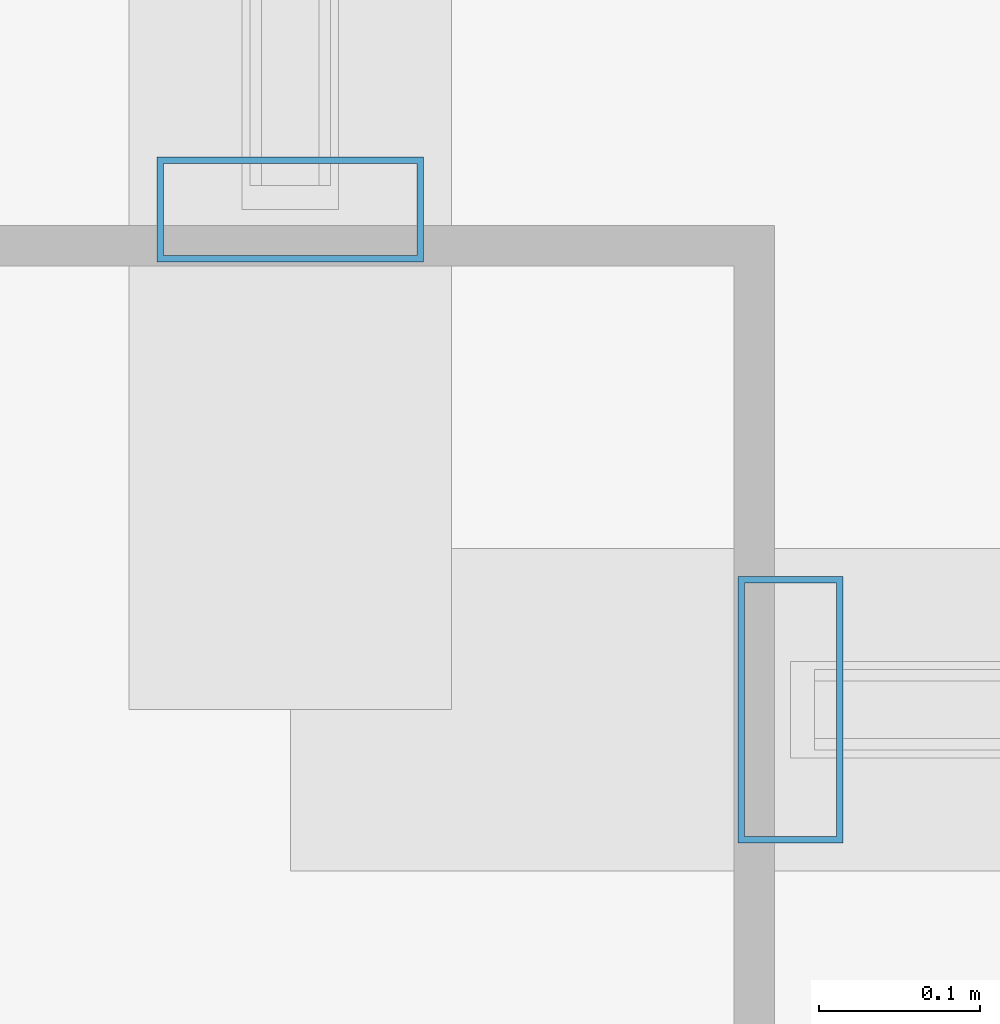
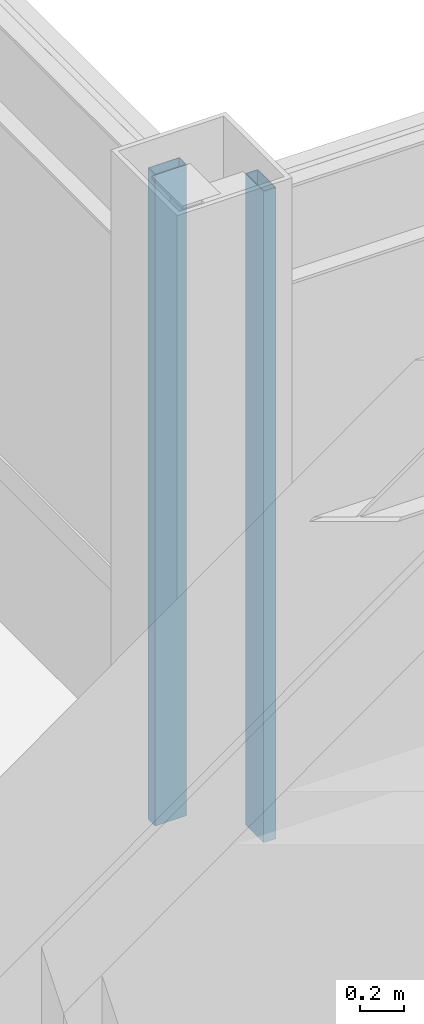
# One storey, part 10 of 22: 2 members, 2 elements without a shape of their own.
"""IFC4 building model written with IfcOpenShell, lengths in metres."""

from ifc_helpers import new_model, si_unit, direction, frame, origin, origin_2d, place, context, subcontext, project, spatial, hollow_rectangle, extrude, material, layer, layer_set, material_profile, profile_set, type_object, element, aggregate, save


model = new_model("IFC4")

# Units and contexts
model_context = context("Model", 3, precision=1e-05, world=origin(), true_north=direction((0.0, 1.0)))
body_context = subcontext(model_context, "Body", "Model", "MODEL_VIEW")
ifc_project = project(units=[si_unit("LENGTHUNIT", "METRE"), si_unit("AREAUNIT", "SQUARE_METRE"), si_unit("VOLUMEUNIT", "CUBIC_METRE"), si_unit("PLANEANGLEUNIT", "RADIAN"), si_unit("MASSUNIT", "GRAM", prefix="KILO")], contexts=[model_context])

# Site, building, storey
site_placement = place(None, origin())
site = spatial("IfcSite", under=ifc_project, at=site_placement, CompositionType="ELEMENT")
building_placement = place(site_placement, origin())
building = spatial("IfcBuilding", under=site, at=building_placement, Name="Brelmoor Portico Tower", CompositionType="ELEMENT")
storey_placement = place(building_placement, frame((0.0, 0.0, 280.800048828125)))
storey = spatial("IfcBuildingStorey", under=building, at=storey_placement, Name="L74", CompositionType="ELEMENT", Elevation=280.800048828125)

# Curtain wall, member
ifc_material = material(Name="Anodised Aluminium Alloy 6063-T6", Category="aluminium")
ifc_layer = layer(ifc_material, 0.179931640625)
ifc_layer_set = layer_set([ifc_layer], Name="Anodised Aluminium Alloy 6063-T6")
curtain_wall_type = type_object("IfcCurtainWallType", Name="CW-NOTCH-CHAMFER", PredefinedType="NOTDEFINED", material=ifc_layer_set)
curtain_wall_1_placement = place(storey_placement, origin())
curtain_wall_1 = element("IfcCurtainWall", 1, at=curtain_wall_1_placement, inside=storey, type_object=curtain_wall_type, Name="L74 Curtain Wall CWN-L74-NEH", PredefinedType="NOTDEFINED")
ifc_material_profile = material_profile(ifc_material, hollow_rectangle(XDim=0.06494140625, YDim=0.1650390625, WallThickness=0.00390625, at=origin_2d()), Name="ALU MULLION 65x165")
ifc_profile_set = profile_set([ifc_material_profile], Name="Anodised Aluminium Alloy 6063-T6")
member_type = type_object("IfcMemberType", Name="MB-CW-MULL-165", PredefinedType="MULLION", material=ifc_profile_set)
member_1_placement = place(storey_placement, frame((12.860107421875, 11.550048828125, -0.199951171875), z_axis=(0.0, 0.0, 1.0), x_axis=(1.0, 0.0, 0.0)))
member_1 = element("IfcMember", 2, at=member_1_placement, type_object=member_type, Name="CWN-L74-NEH Mullion 00", PredefinedType="MULLION", context=body_context, shape_type="SweptSolid", body=[
    extrude(hollow_rectangle(XDim=0.06494140625, YDim=0.1650390625, WallThickness=0.00390625, at=origin_2d()), origin(), (0.0, 0.0, 1.0), 3.599853515625),
])
aggregate(curtain_wall_1, [member_1])

curtain_wall_2_placement = place(storey_placement, origin())
curtain_wall_2 = element("IfcCurtainWall", 3, at=curtain_wall_2_placement, inside=storey, type_object=curtain_wall_type, Name="L74 Curtain Wall CWN-L74-NEV", PredefinedType="NOTDEFINED")
member_2_placement = place(storey_placement, frame((12.550048828125, 11.860107421875, -0.199951171875), z_axis=(0.0, 0.0, 1.0), x_axis=(0.0, 1.0, 0.0)))
member_2 = element("IfcMember", 4, at=member_2_placement, type_object=member_type, Name="CWN-L74-NEV Mullion 00", PredefinedType="MULLION", context=body_context, shape_type="SweptSolid", body=[
    extrude(hollow_rectangle(XDim=0.06494140625, YDim=0.1650390625, WallThickness=0.00390625, at=origin_2d()), origin(), (0.0, 0.0, 1.0), 3.599853515625),
])
aggregate(curtain_wall_2, [member_2])

save(model, "model.ifc")
